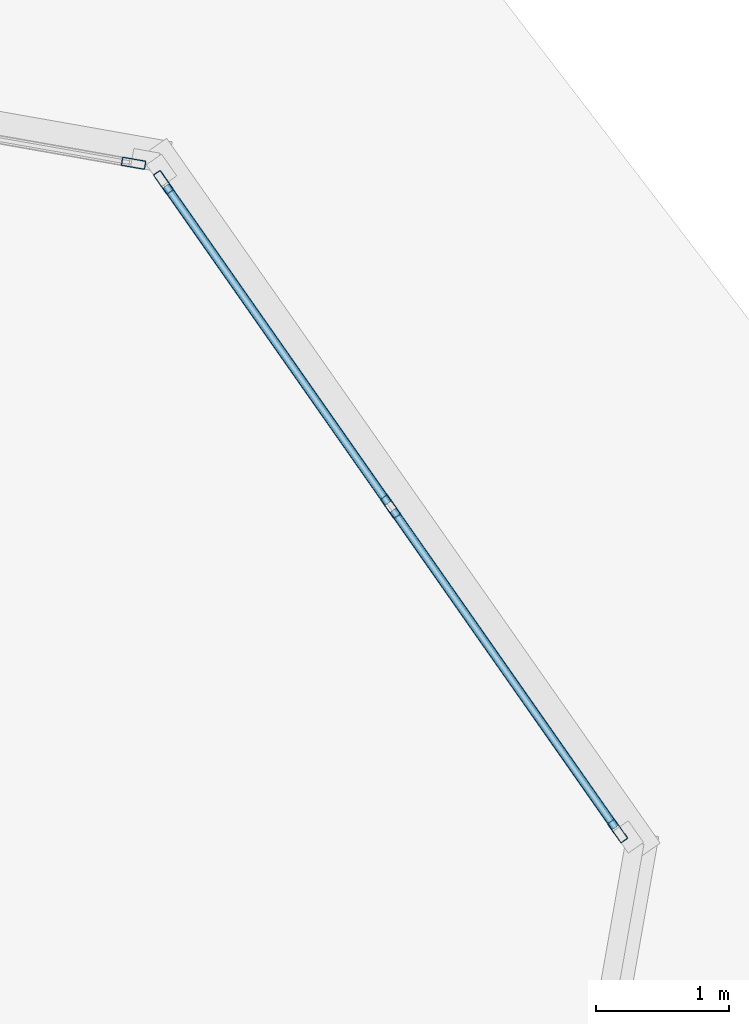
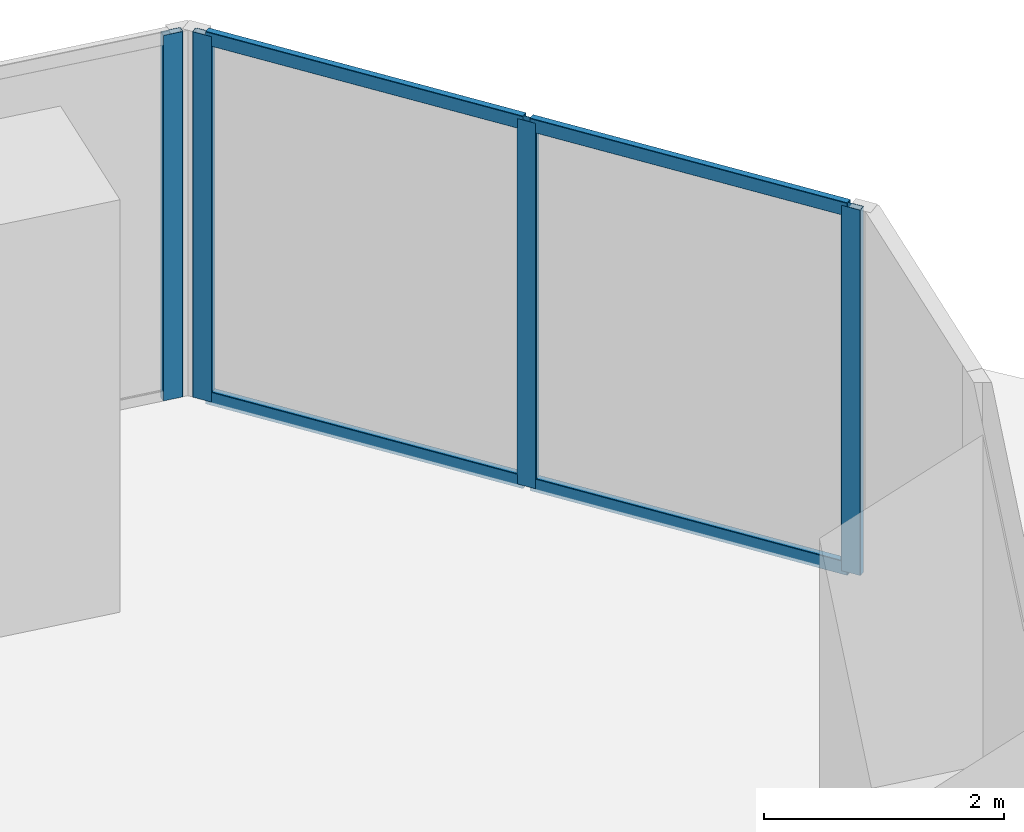
# One storey, part 13 of 24: 8 members, 2 elements without a shape of their own.
"""IFC4 building model written with IfcOpenShell, lengths in metres."""

from ifc_helpers import new_model, si_unit, direction, frame, origin, origin_2d, place, context, subcontext, project, spatial, hollow_rectangle, extrude, source, transform, mapped, material, material_profile, profile_set, type_object, element, aggregate, save


model = new_model("IFC4")

# Units and contexts
model_context = context("Model", 3, precision=1e-05, world=origin(), true_north=direction((0.0, 1.0)))
body_context = subcontext(model_context, "Body", "Model", "MODEL_VIEW")
ifc_project = project(units=[si_unit("LENGTHUNIT", "METRE"), si_unit("AREAUNIT", "SQUARE_METRE"), si_unit("VOLUMEUNIT", "CUBIC_METRE"), si_unit("PLANEANGLEUNIT", "RADIAN"), si_unit("MASSUNIT", "GRAM", prefix="KILO")], contexts=[model_context])

# Site, building, storey
site_placement = place(None, origin())
site = spatial("IfcSite", under=ifc_project, at=site_placement, CompositionType="ELEMENT")
building_placement = place(site_placement, origin())
building = spatial("IfcBuilding", under=site, at=building_placement, Name="Torre Montelarca", CompositionType="ELEMENT")
storey_placement = place(building_placement, frame((0.0, 0.0, 74.800048828125)))
storey = spatial("IfcBuildingStorey", under=building, at=storey_placement, Name="L16", CompositionType="ELEMENT", Elevation=74.800048828125)

# Curtain wall, members
ifc_material_1 = material(Name="Insulated low-E laminated glass", Category="glass")
curtain_wall_type = type_object("IfcCurtainWallType", Name="CW-SYS-Z1", PredefinedType="USERDEFINED", material=ifc_material_1)
curtain_wall_1_placement = place(storey_placement, origin())
curtain_wall_1 = element("IfcCurtainWall", 1, at=curtain_wall_1_placement, inside=storey, type_object=curtain_wall_type, Name="L16 Curtain Wall Run CW-T3-L16-E07-B1", ObjectType="UNITISED GLAZING", PredefinedType="USERDEFINED")
ifc_material_2 = material(Name="Anodised aluminium AA 6063-T6", Category="aluminium")
ifc_material_profile_1 = material_profile(ifc_material_2, hollow_rectangle(XDim=0.06494140625, YDim=0.139892578125, WallThickness=0.00390625, InnerFilletRadius=0.00390625, OuterFilletRadius=0.008056640625, at=origin_2d()), Name="ALU65X140X4", Category="aluminium")
ifc_profile_set_1 = profile_set([ifc_material_profile_1], Name="Anodised aluminium AA 6063-T6")
member_type_1 = type_object("IfcMemberType", Name="CWT-ALU140", PredefinedType="USERDEFINED", material=ifc_profile_set_1)
shared_shape_1 = source(origin(), body_context, "Body", "SweptSolid", [
    extrude(hollow_rectangle(XDim=0.06494140625, YDim=0.139892578125, WallThickness=0.00390625, InnerFilletRadius=0.00390625, OuterFilletRadius=0.008056640625, at=origin_2d()), origin(), (0.0, 0.0, 1.0), 2.918701171875),
])
member_1_placement = place(storey_placement, frame((62.09423828125, 36.794921875, 0.032470703125), z_axis=(-0.573569003746, 0.819157248605, 0.0), x_axis=(-0.819157248605, -0.573569003746, 0.0)))
member_1 = element("IfcMember", 2, at=member_1_placement, type_object=member_type_1, Name="CW transom 1.1", ObjectType="TRANSOM", PredefinedType="USERDEFINED", context=body_context, shape_type="MappedRepresentation", body=[
    mapped(shared_shape_1, transform((0.0, 0.0, 0.0), scale=1.0)),
])
member_2_placement = place(storey_placement, frame((62.09423828125, 36.794921875, 3.6875), z_axis=(-0.573569003746, 0.819157248605, 0.0), x_axis=(-0.819157248605, -0.573569003746, 0.0)))
member_2 = element("IfcMember", 3, at=member_2_placement, type_object=member_type_1, Name="CW transom 1.2", ObjectType="TRANSOM", PredefinedType="USERDEFINED", context=body_context, shape_type="MappedRepresentation", body=[
    mapped(shared_shape_1, transform((0.0, 0.0, 0.0), scale=1.0)),
])
shared_shape_2 = source(origin(), body_context, "Body", "SweptSolid", [
    extrude(hollow_rectangle(XDim=0.06494140625, YDim=0.139892578125, WallThickness=0.00390625, InnerFilletRadius=0.00390625, OuterFilletRadius=0.008056640625, at=origin_2d()), origin(), (0.0, 0.0, 1.0), 2.91845703125),
])
member_3_placement = place(storey_placement, frame((60.3828125, 39.239013671875, 0.032470703125), z_axis=(-0.573512870865, 0.819196549646, 0.0), x_axis=(-0.819196549646, -0.573512870865, 0.0)))
member_3 = element("IfcMember", 4, at=member_3_placement, type_object=member_type_1, Name="CW transom 2.1", ObjectType="TRANSOM", PredefinedType="USERDEFINED", context=body_context, shape_type="MappedRepresentation", body=[
    mapped(shared_shape_2, transform((0.0, 0.0, 0.0), scale=1.0)),
])
member_4_placement = place(storey_placement, frame((60.3828125, 39.239013671875, 3.6875), z_axis=(-0.573512870865, 0.819196549646, 0.0), x_axis=(-0.819196549646, -0.573512870865, 0.0)))
member_4 = element("IfcMember", 5, at=member_4_placement, type_object=member_type_1, Name="CW transom 2.2", ObjectType="TRANSOM", PredefinedType="USERDEFINED", context=body_context, shape_type="MappedRepresentation", body=[
    mapped(shared_shape_2, transform((0.0, 0.0, 0.0), scale=1.0)),
])
ifc_material_profile_2 = material_profile(ifc_material_2, hollow_rectangle(XDim=0.06494140625, YDim=0.179931640625, WallThickness=0.00390625, InnerFilletRadius=0.00390625, OuterFilletRadius=0.008056640625, at=origin_2d()), Name="ALU65X180X4", Category="aluminium")
ifc_profile_set_2 = profile_set([ifc_material_profile_2], Name="Anodised aluminium AA 6063-T6")
member_type_2 = type_object("IfcMemberType", Name="CWM-ALU180", PredefinedType="MULLION", material=ifc_profile_set_2)
shared_shape_3 = source(origin(), body_context, "Body", "SweptSolid", [
    extrude(hollow_rectangle(XDim=0.06494140625, YDim=0.179931640625, WallThickness=0.00390625, InnerFilletRadius=0.00390625, OuterFilletRadius=0.008056640625, at=origin_2d()), origin(), (0.0, 0.0, 1.0), 3.719970703125),
])
member_5_placement = place(storey_placement, frame((62.11279296875, 36.768310546875, 0.0), z_axis=(0.0, 0.0, 1.0), x_axis=(-0.819173505874, -0.573545784811, 0.0)))
member_5 = element("IfcMember", 6, at=member_5_placement, type_object=member_type_2, Name="CW mullion 1", PredefinedType="MULLION", context=body_context, shape_type="MappedRepresentation", body=[
    mapped(shared_shape_3, transform((0.0, 0.0, 0.0), scale=1.0)),
])
member_6_placement = place(storey_placement, frame((60.401611328125, 39.21240234375, 0.0), z_axis=(0.0, 0.0, 1.0), x_axis=(-0.819173505874, -0.573545784811, 0.0)))
member_6 = element("IfcMember", 7, at=member_6_placement, type_object=member_type_2, Name="CW mullion 2", PredefinedType="MULLION", context=body_context, shape_type="MappedRepresentation", body=[
    mapped(shared_shape_3, transform((0.0, 0.0, 0.0), scale=1.0)),
])
member_7_placement = place(storey_placement, frame((58.690185546875, 41.656494140625, 0.0), z_axis=(0.0, 0.0, 1.0), x_axis=(-0.819173505874, -0.573545784811, 0.0)))
member_7 = element("IfcMember", 8, at=member_7_placement, type_object=member_type_2, Name="CW mullion 3", PredefinedType="MULLION", context=body_context, shape_type="MappedRepresentation", body=[
    mapped(shared_shape_3, transform((0.0, 0.0, 0.0), scale=1.0)),
])
aggregate(curtain_wall_1, [member_5, member_6, member_7, member_1, member_2, member_3, member_4])

# Curtain wall, member
curtain_wall_2_placement = place(storey_placement, origin())
curtain_wall_2 = element("IfcCurtainWall", 9, at=curtain_wall_2_placement, inside=storey, type_object=curtain_wall_type, Name="L16 Curtain Wall Run CW-T3-L16-E08-B1", ObjectType="UNITISED GLAZING", PredefinedType="USERDEFINED")
member_8_placement = place(storey_placement, frame((58.465087890625, 41.800048828125, 0.0), z_axis=(0.0, 0.0, 1.0), x_axis=(-0.173643193311, -0.984808631876, 0.0)))
member_8 = element("IfcMember", 10, at=member_8_placement, type_object=member_type_2, Name="CW mullion 1", PredefinedType="MULLION", context=body_context, shape_type="MappedRepresentation", body=[
    mapped(shared_shape_3, transform((0.0, 0.0, 0.0), scale=1.0)),
])
aggregate(curtain_wall_2, [member_8])

save(model, "model.ifc")
